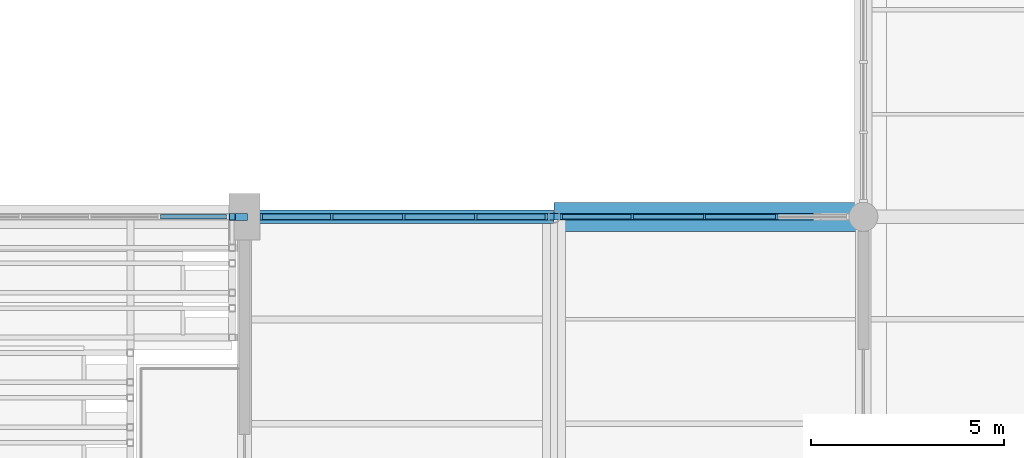
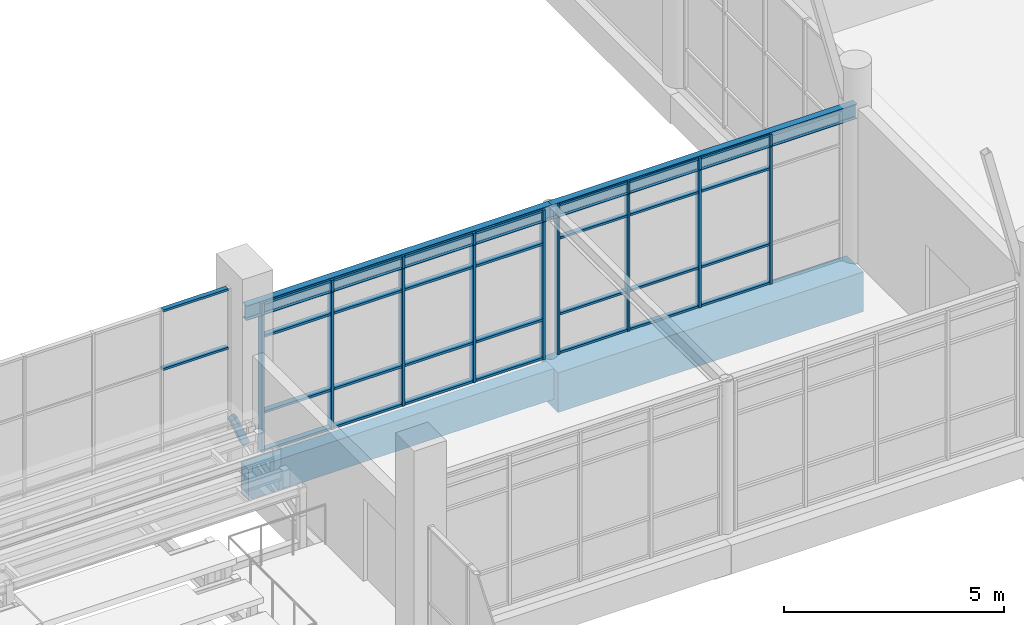
# One storey, part 19 of 122: 40 members, 4 beams, 3 elements without a shape of their own.
"""IFC4 building model written with IfcOpenShell, lengths in metres."""

from ifc_helpers import new_model, si_unit, direction, frame, origin, origin_2d, place, context, subcontext, project, spatial, rectangle, hollow_rectangle, i_section, extrude, material, material_profile, profile_set, type_object, element, aggregate, save


model = new_model("IFC4")

# Units and contexts
model_context = context("Model", 3, precision=1e-05, world=origin(), true_north=direction((0.0, 1.0)))
body_context = subcontext(model_context, "Body", "Model", "MODEL_VIEW")
ifc_project = project(units=[si_unit("LENGTHUNIT", "METRE"), si_unit("AREAUNIT", "SQUARE_METRE"), si_unit("VOLUMEUNIT", "CUBIC_METRE"), si_unit("PLANEANGLEUNIT", "RADIAN"), si_unit("MASSUNIT", "GRAM", prefix="KILO")], contexts=[model_context])

# Site, building, storey
site_placement = place(None, origin())
site = spatial("IfcSite", under=ifc_project, at=site_placement, CompositionType="ELEMENT")
building_placement = place(site_placement, origin())
building = spatial("IfcBuilding", under=site, at=building_placement, Name="Tenunan Teduh Sports Hall", CompositionType="ELEMENT")
storey_placement = place(building_placement, frame((0.0, 0.0, 5.39990234375)))
storey = spatial("IfcBuildingStorey", under=building, at=storey_placement, Name="L01", CompositionType="ELEMENT", Elevation=5.39990234375)

# Beams
ifc_material_1 = material(Name="Concrete C40/50", Category="concrete")
ifc_material_profile_1 = material_profile(ifc_material_1, rectangle(XDim=0.75, YDim=1.10009765625, at=origin_2d()), Name="RCB 750x1100")
ifc_profile_set_1 = profile_set([ifc_material_profile_1], Name="Concrete C40/50")
beam_type_1 = type_object("IfcBeamType", Name="BM-RC-750x1100", PredefinedType="SPANDREL", material=ifc_profile_set_1)
beam_1_placement = place(storey_placement, frame((62.0, 46.0, -0.809814453125), z_axis=(1.0, 0.0, 0.0), x_axis=(0.0, 1.0, 0.0)))
element("IfcBeam", 1, at=beam_1_placement, inside=storey, type_object=beam_type_1, Name="BM-B-20-L01-1077", PredefinedType="SPANDREL", context=body_context, shape_type="SweptSolid", body=[
    extrude(rectangle(XDim=0.75, YDim=1.10009765625, at=origin_2d()), origin(), (0.0, 0.0, 1.0), 8.0),
])
ifc_material_2 = material(Name="Concrete C40/50", Category="concrete")
ifc_material_profile_2 = material_profile(ifc_material_2, rectangle(XDim=0.35009765625, YDim=0.85009765625, at=origin_2d()), Name="SPB 350x850")
ifc_profile_set_2 = profile_set([ifc_material_profile_2], Name="Concrete C40/50")
beam_type_2 = type_object("IfcBeamType", Name="BM-SP-350x850", PredefinedType="SPANDREL", material=ifc_profile_set_2)
beam_2_placement = place(storey_placement, frame((54.0, 46.0, -0.684814453125), z_axis=(1.0, 0.0, 0.0), x_axis=(0.0, 1.0, 0.0)))
element("IfcBeam", 2, at=beam_2_placement, inside=storey, type_object=beam_type_2, Name="BM-SP-02-L01-1076", PredefinedType="SPANDREL", context=body_context, shape_type="SweptSolid", body=[
    extrude(rectangle(XDim=0.35009765625, YDim=0.85009765625, at=origin_2d()), origin(), (0.0, 0.0, 1.0), 8.0),
])

# Curtain wall, members
ifc_material_3 = material(Name="Anodised aluminium", Category="aluminium")
curtain_wall_type_1 = type_object("IfcCurtainWallType", Name="CW-UNIT-2", PredefinedType="NOTDEFINED", material=ifc_material_3)
curtain_wall_1_placement = place(storey_placement, origin())
curtain_wall_1 = element("IfcCurtainWall", 3, at=curtain_wall_1_placement, inside=storey, type_object=curtain_wall_type_1, Name="CW-CWM-150-L01-179", PredefinedType="NOTDEFINED")
ifc_material_4 = material(Name="Anodised aluminium", Category="aluminium")
ifc_material_profile_3 = material_profile(ifc_material_4, rectangle(XDim=0.06005859375, YDim=0.14990234375, at=origin_2d()), Name="CWM 60x150")
ifc_profile_set_3 = profile_set([ifc_material_profile_3], Name="Anodised aluminium")
member_type_1 = type_object("IfcMemberType", Name="CWM-150", PredefinedType="MULLION", material=ifc_profile_set_3)
member_1_placement = place(storey_placement, frame((62.19189453125, 46.0, 0.0), z_axis=(0.0, 0.0, 1.0), x_axis=(1.0, 0.0, 0.0)))
member_1 = element("IfcMember", 4, at=member_1_placement, type_object=member_type_1, Name="CW-02 mullion 1", PredefinedType="MULLION", context=body_context, shape_type="SweptSolid", body=[
    extrude(rectangle(XDim=0.06005859375, YDim=0.14990234375, at=origin_2d()), origin(), (0.0, 0.0, 1.0), 4.150146484375),
])
member_2_placement = place(storey_placement, frame((64.027587890625, 46.0, 0.0), z_axis=(0.0, 0.0, 1.0), x_axis=(1.0, 0.0, 0.0)))
member_2 = element("IfcMember", 5, at=member_2_placement, type_object=member_type_1, Name="CW-02 mullion 2", PredefinedType="MULLION", context=body_context, shape_type="SweptSolid", body=[
    extrude(rectangle(XDim=0.06005859375, YDim=0.14990234375, at=origin_2d()), origin(), (0.0, 0.0, 1.0), 4.150146484375),
])
member_3_placement = place(storey_placement, frame((65.8935546875, 46.0, 0.0), z_axis=(0.0, 0.0, 1.0), x_axis=(1.0, 0.0, 0.0)))
member_3 = element("IfcMember", 6, at=member_3_placement, type_object=member_type_1, Name="CW-02 mullion 3", PredefinedType="MULLION", context=body_context, shape_type="SweptSolid", body=[
    extrude(rectangle(XDim=0.06005859375, YDim=0.14990234375, at=origin_2d()), origin(), (0.0, 0.0, 1.0), 4.150146484375),
])
member_4_placement = place(storey_placement, frame((67.75927734375, 46.0, 0.0), z_axis=(0.0, 0.0, 1.0), x_axis=(1.0, 0.0, 0.0)))
member_4 = element("IfcMember", 7, at=member_4_placement, type_object=member_type_1, Name="CW-02 mullion 4", PredefinedType="MULLION", context=body_context, shape_type="SweptSolid", body=[
    extrude(rectangle(XDim=0.06005859375, YDim=0.14990234375, at=origin_2d()), origin(), (0.0, 0.0, 1.0), 4.150146484375),
])

curtain_wall_2_placement = place(storey_placement, origin())
curtain_wall_2 = element("IfcCurtainWall", 8, at=curtain_wall_2_placement, inside=storey, type_object=curtain_wall_type_1, Name="CW-CWM-175-L01-178", PredefinedType="NOTDEFINED")
ifc_material_5 = material(Name="Anodised aluminium", Category="aluminium")
ifc_material_profile_4 = material_profile(ifc_material_5, rectangle(XDim=0.06494140625, YDim=0.175048828125, at=origin_2d()), Name="CWM 65x175")
ifc_profile_set_4 = profile_set([ifc_material_profile_4], Name="Anodised aluminium")
member_type_2 = type_object("IfcMemberType", Name="CWM-175", PredefinedType="MULLION", material=ifc_profile_set_4)
member_5_placement = place(storey_placement, frame((54.4326171875, 46.0, 0.0), z_axis=(0.0, 0.0, 1.0), x_axis=(1.0, 0.0, 0.0)))
member_5 = element("IfcMember", 9, at=member_5_placement, type_object=member_type_2, Name="CW-02 mullion 1", PredefinedType="MULLION", context=body_context, shape_type="SweptSolid", body=[
    extrude(rectangle(XDim=0.06494140625, YDim=0.175048828125, at=origin_2d()), origin(), (0.0, 0.0, 1.0), 4.150146484375),
])
member_6_placement = place(storey_placement, frame((56.259521484375, 46.0, 0.0), z_axis=(0.0, 0.0, 1.0), x_axis=(1.0, 0.0, 0.0)))
member_6 = element("IfcMember", 10, at=member_6_placement, type_object=member_type_2, Name="CW-02 mullion 2", PredefinedType="MULLION", context=body_context, shape_type="SweptSolid", body=[
    extrude(rectangle(XDim=0.06494140625, YDim=0.175048828125, at=origin_2d()), origin(), (0.0, 0.0, 1.0), 4.150146484375),
])
member_7_placement = place(storey_placement, frame((58.119140625, 46.0, 0.0), z_axis=(0.0, 0.0, 1.0), x_axis=(1.0, 0.0, 0.0)))
member_7 = element("IfcMember", 11, at=member_7_placement, type_object=member_type_2, Name="CW-02 mullion 3", PredefinedType="MULLION", context=body_context, shape_type="SweptSolid", body=[
    extrude(rectangle(XDim=0.06494140625, YDim=0.175048828125, at=origin_2d()), origin(), (0.0, 0.0, 1.0), 4.150146484375),
])
member_8_placement = place(storey_placement, frame((59.978515625, 46.0, 0.0), z_axis=(0.0, 0.0, 1.0), x_axis=(1.0, 0.0, 0.0)))
member_8 = element("IfcMember", 12, at=member_8_placement, type_object=member_type_2, Name="CW-02 mullion 4", PredefinedType="MULLION", context=body_context, shape_type="SweptSolid", body=[
    extrude(rectangle(XDim=0.06494140625, YDim=0.175048828125, at=origin_2d()), origin(), (0.0, 0.0, 1.0), 4.150146484375),
])
member_9_placement = place(storey_placement, frame((61.8056640625, 46.0, 0.0), z_axis=(0.0, 0.0, 1.0), x_axis=(1.0, 0.0, 0.0)))
member_9 = element("IfcMember", 13, at=member_9_placement, type_object=member_type_2, Name="CW-02 mullion 5", PredefinedType="MULLION", context=body_context, shape_type="SweptSolid", body=[
    extrude(rectangle(XDim=0.06494140625, YDim=0.175048828125, at=origin_2d()), origin(), (0.0, 0.0, 1.0), 4.150146484375),
])

ifc_material_6 = material(Name="Anodised aluminium", Category="aluminium")
curtain_wall_type_2 = type_object("IfcCurtainWallType", Name="CW-UNIT-1", PredefinedType="NOTDEFINED", material=ifc_material_6)
curtain_wall_3_placement = place(storey_placement, origin())
curtain_wall_3 = element("IfcCurtainWall", 14, at=curtain_wall_3_placement, inside=storey, type_object=curtain_wall_type_2, Name="CW-CWM-150-L01-051", PredefinedType="NOTDEFINED")
ifc_material_7 = material(Name="Anodised aluminium", Category="aluminium")
ifc_material_profile_5 = material_profile(ifc_material_7, rectangle(XDim=0.06005859375, YDim=0.1201171875, at=origin_2d()), Name="CWT 60x120")
ifc_profile_set_5 = profile_set([ifc_material_profile_5], Name="Anodised aluminium")
member_type_3 = type_object("IfcMemberType", Name="CWT-125", PredefinedType="USERDEFINED", material=ifc_profile_set_5)
member_10_placement = place(storey_placement, frame((51.830078125, 46.0, 3.2001953125), z_axis=(1.0, 0.0, 0.0), x_axis=(0.0, 0.0, 1.0)))
member_10 = element("IfcMember", 15, at=member_10_placement, type_object=member_type_3, Name="CW-01 transom 4.3", ObjectType="TRANSOM", PredefinedType="USERDEFINED", context=body_context, shape_type="SweptSolid", body=[
    extrude(rectangle(XDim=0.06005859375, YDim=0.1201171875, at=origin_2d()), origin(), (0.0, 0.0, 1.0), 1.7099609375),
])
member_11_placement = place(storey_placement, frame((51.830078125, 46.0, 4.820068359375), z_axis=(1.0, 0.0, 0.0), x_axis=(0.0, 0.0, 1.0)))
member_11 = element("IfcMember", 16, at=member_11_placement, type_object=member_type_3, Name="CW-01 transom 4.4", ObjectType="TRANSOM", PredefinedType="USERDEFINED", context=body_context, shape_type="SweptSolid", body=[
    extrude(rectangle(XDim=0.06005859375, YDim=0.1201171875, at=origin_2d()), origin(), (0.0, 0.0, 1.0), 1.7099609375),
])
aggregate(curtain_wall_3, [member_10, member_11])

# Member
member_12_placement = place(storey_placement, frame((62.221923828125, 46.0, 0.030029296875), z_axis=(1.0, 0.0, 0.0), x_axis=(0.0, 0.0, 1.0)))
member_12 = element("IfcMember", 17, at=member_12_placement, type_object=member_type_3, Name="CW-02 transom 1.1", ObjectType="TRANSOM", PredefinedType="USERDEFINED", context=body_context, shape_type="SweptSolid", body=[
    extrude(rectangle(XDim=0.06005859375, YDim=0.1201171875, at=origin_2d()), origin(), (0.0, 0.0, 1.0), 1.775634765625),
])

member_13_placement = place(storey_placement, frame((62.221923828125, 46.0, 1.10009765625), z_axis=(1.0, 0.0, 0.0), x_axis=(0.0, 0.0, 1.0)))
member_13 = element("IfcMember", 18, at=member_13_placement, type_object=member_type_3, Name="CW-02 transom 1.2", ObjectType="TRANSOM", PredefinedType="USERDEFINED", context=body_context, shape_type="SweptSolid", body=[
    extrude(rectangle(XDim=0.06005859375, YDim=0.1201171875, at=origin_2d()), origin(), (0.0, 0.0, 1.0), 1.775634765625),
])

member_14_placement = place(storey_placement, frame((62.221923828125, 46.0, 3.2001953125), z_axis=(1.0, 0.0, 0.0), x_axis=(0.0, 0.0, 1.0)))
member_14 = element("IfcMember", 19, at=member_14_placement, type_object=member_type_3, Name="CW-02 transom 1.3", ObjectType="TRANSOM", PredefinedType="USERDEFINED", context=body_context, shape_type="SweptSolid", body=[
    extrude(rectangle(XDim=0.06005859375, YDim=0.1201171875, at=origin_2d()), origin(), (0.0, 0.0, 1.0), 1.775634765625),
])

member_15_placement = place(storey_placement, frame((62.221923828125, 46.0, 4.1201171875), z_axis=(1.0, 0.0, 0.0), x_axis=(0.0, 0.0, 1.0)))
member_15 = element("IfcMember", 20, at=member_15_placement, type_object=member_type_3, Name="CW-02 transom 1.4", ObjectType="TRANSOM", PredefinedType="USERDEFINED", context=body_context, shape_type="SweptSolid", body=[
    extrude(rectangle(XDim=0.06005859375, YDim=0.1201171875, at=origin_2d()), origin(), (0.0, 0.0, 1.0), 1.775634765625),
])

member_16_placement = place(storey_placement, frame((64.0576171875, 46.0, 0.030029296875), z_axis=(1.0, 0.0, 0.0), x_axis=(0.0, 0.0, 1.0)))
member_16 = element("IfcMember", 21, at=member_16_placement, type_object=member_type_3, Name="CW-02 transom 2.1", ObjectType="TRANSOM", PredefinedType="USERDEFINED", context=body_context, shape_type="SweptSolid", body=[
    extrude(rectangle(XDim=0.06005859375, YDim=0.1201171875, at=origin_2d()), origin(), (0.0, 0.0, 1.0), 1.805908203125),
])

member_17_placement = place(storey_placement, frame((64.0576171875, 46.0, 1.10009765625), z_axis=(1.0, 0.0, 0.0), x_axis=(0.0, 0.0, 1.0)))
member_17 = element("IfcMember", 22, at=member_17_placement, type_object=member_type_3, Name="CW-02 transom 2.2", ObjectType="TRANSOM", PredefinedType="USERDEFINED", context=body_context, shape_type="SweptSolid", body=[
    extrude(rectangle(XDim=0.06005859375, YDim=0.1201171875, at=origin_2d()), origin(), (0.0, 0.0, 1.0), 1.805908203125),
])

member_18_placement = place(storey_placement, frame((64.0576171875, 46.0, 3.2001953125), z_axis=(1.0, 0.0, 0.0), x_axis=(0.0, 0.0, 1.0)))
member_18 = element("IfcMember", 23, at=member_18_placement, type_object=member_type_3, Name="CW-02 transom 2.3", ObjectType="TRANSOM", PredefinedType="USERDEFINED", context=body_context, shape_type="SweptSolid", body=[
    extrude(rectangle(XDim=0.06005859375, YDim=0.1201171875, at=origin_2d()), origin(), (0.0, 0.0, 1.0), 1.805908203125),
])

member_19_placement = place(storey_placement, frame((64.0576171875, 46.0, 4.1201171875), z_axis=(1.0, 0.0, 0.0), x_axis=(0.0, 0.0, 1.0)))
member_19 = element("IfcMember", 24, at=member_19_placement, type_object=member_type_3, Name="CW-02 transom 2.4", ObjectType="TRANSOM", PredefinedType="USERDEFINED", context=body_context, shape_type="SweptSolid", body=[
    extrude(rectangle(XDim=0.06005859375, YDim=0.1201171875, at=origin_2d()), origin(), (0.0, 0.0, 1.0), 1.805908203125),
])

member_20_placement = place(storey_placement, frame((65.92333984375, 46.0, 0.030029296875), z_axis=(1.0, 0.0, 0.0), x_axis=(0.0, 0.0, 1.0)))
member_20 = element("IfcMember", 25, at=member_20_placement, type_object=member_type_3, Name="CW-02 transom 3.1", ObjectType="TRANSOM", PredefinedType="USERDEFINED", context=body_context, shape_type="SweptSolid", body=[
    extrude(rectangle(XDim=0.06005859375, YDim=0.1201171875, at=origin_2d()), origin(), (0.0, 0.0, 1.0), 1.805908203125),
])

member_21_placement = place(storey_placement, frame((65.92333984375, 46.0, 1.10009765625), z_axis=(1.0, 0.0, 0.0), x_axis=(0.0, 0.0, 1.0)))
member_21 = element("IfcMember", 26, at=member_21_placement, type_object=member_type_3, Name="CW-02 transom 3.2", ObjectType="TRANSOM", PredefinedType="USERDEFINED", context=body_context, shape_type="SweptSolid", body=[
    extrude(rectangle(XDim=0.06005859375, YDim=0.1201171875, at=origin_2d()), origin(), (0.0, 0.0, 1.0), 1.805908203125),
])

member_22_placement = place(storey_placement, frame((65.92333984375, 46.0, 3.2001953125), z_axis=(1.0, 0.0, 0.0), x_axis=(0.0, 0.0, 1.0)))
member_22 = element("IfcMember", 27, at=member_22_placement, type_object=member_type_3, Name="CW-02 transom 3.3", ObjectType="TRANSOM", PredefinedType="USERDEFINED", context=body_context, shape_type="SweptSolid", body=[
    extrude(rectangle(XDim=0.06005859375, YDim=0.1201171875, at=origin_2d()), origin(), (0.0, 0.0, 1.0), 1.805908203125),
])

member_23_placement = place(storey_placement, frame((65.92333984375, 46.0, 4.1201171875), z_axis=(1.0, 0.0, 0.0), x_axis=(0.0, 0.0, 1.0)))
member_23 = element("IfcMember", 28, at=member_23_placement, type_object=member_type_3, Name="CW-02 transom 3.4", ObjectType="TRANSOM", PredefinedType="USERDEFINED", context=body_context, shape_type="SweptSolid", body=[
    extrude(rectangle(XDim=0.06005859375, YDim=0.1201171875, at=origin_2d()), origin(), (0.0, 0.0, 1.0), 1.805908203125),
])

aggregate(curtain_wall_1, [member_1, member_2, member_3, member_4, member_12, member_13, member_14, member_15, member_16, member_17, member_18, member_19, member_20, member_21, member_22, member_23])

ifc_material_8 = material(Name="Anodised aluminium", Category="aluminium")
ifc_material_profile_6 = material_profile(ifc_material_8, rectangle(XDim=0.06494140625, YDim=0.139892578125, at=origin_2d()), Name="CWT 65x140")
ifc_profile_set_6 = profile_set([ifc_material_profile_6], Name="Anodised aluminium")
member_type_4 = type_object("IfcMemberType", Name="CWT-150", PredefinedType="USERDEFINED", material=ifc_profile_set_6)
member_24_placement = place(storey_placement, frame((54.465087890625, 46.0, 0.03271484375), z_axis=(1.0, 0.0, 0.0), x_axis=(0.0, 0.0, 1.0)))
member_24 = element("IfcMember", 29, at=member_24_placement, type_object=member_type_4, Name="CW-02 transom 1.1", ObjectType="TRANSOM", PredefinedType="USERDEFINED", context=body_context, shape_type="SweptSolid", body=[
    extrude(rectangle(XDim=0.06494140625, YDim=0.139892578125, at=origin_2d()), origin(), (0.0, 0.0, 1.0), 1.761962890625),
])

member_25_placement = place(storey_placement, frame((54.465087890625, 46.0, 1.10009765625), z_axis=(1.0, 0.0, 0.0), x_axis=(0.0, 0.0, 1.0)))
member_25 = element("IfcMember", 30, at=member_25_placement, type_object=member_type_4, Name="CW-02 transom 1.2", ObjectType="TRANSOM", PredefinedType="USERDEFINED", context=body_context, shape_type="SweptSolid", body=[
    extrude(rectangle(XDim=0.06494140625, YDim=0.139892578125, at=origin_2d()), origin(), (0.0, 0.0, 1.0), 1.761962890625),
])

member_26_placement = place(storey_placement, frame((54.465087890625, 46.0, 3.2001953125), z_axis=(1.0, 0.0, 0.0), x_axis=(0.0, 0.0, 1.0)))
member_26 = element("IfcMember", 31, at=member_26_placement, type_object=member_type_4, Name="CW-02 transom 1.3", ObjectType="TRANSOM", PredefinedType="USERDEFINED", context=body_context, shape_type="SweptSolid", body=[
    extrude(rectangle(XDim=0.06494140625, YDim=0.139892578125, at=origin_2d()), origin(), (0.0, 0.0, 1.0), 1.761962890625),
])

member_27_placement = place(storey_placement, frame((54.465087890625, 46.0, 4.11767578125), z_axis=(1.0, 0.0, 0.0), x_axis=(0.0, 0.0, 1.0)))
member_27 = element("IfcMember", 32, at=member_27_placement, type_object=member_type_4, Name="CW-02 transom 1.4", ObjectType="TRANSOM", PredefinedType="USERDEFINED", context=body_context, shape_type="SweptSolid", body=[
    extrude(rectangle(XDim=0.06494140625, YDim=0.139892578125, at=origin_2d()), origin(), (0.0, 0.0, 1.0), 1.761962890625),
])

member_28_placement = place(storey_placement, frame((56.2919921875, 46.0, 0.03271484375), z_axis=(1.0, 0.0, 0.0), x_axis=(0.0, 0.0, 1.0)))
member_28 = element("IfcMember", 33, at=member_28_placement, type_object=member_type_4, Name="CW-02 transom 2.1", ObjectType="TRANSOM", PredefinedType="USERDEFINED", context=body_context, shape_type="SweptSolid", body=[
    extrude(rectangle(XDim=0.06494140625, YDim=0.139892578125, at=origin_2d()), origin(), (0.0, 0.0, 1.0), 1.794677734375),
])

member_29_placement = place(storey_placement, frame((56.2919921875, 46.0, 1.10009765625), z_axis=(1.0, 0.0, 0.0), x_axis=(0.0, 0.0, 1.0)))
member_29 = element("IfcMember", 34, at=member_29_placement, type_object=member_type_4, Name="CW-02 transom 2.2", ObjectType="TRANSOM", PredefinedType="USERDEFINED", context=body_context, shape_type="SweptSolid", body=[
    extrude(rectangle(XDim=0.06494140625, YDim=0.139892578125, at=origin_2d()), origin(), (0.0, 0.0, 1.0), 1.794677734375),
])

member_30_placement = place(storey_placement, frame((56.2919921875, 46.0, 3.2001953125), z_axis=(1.0, 0.0, 0.0), x_axis=(0.0, 0.0, 1.0)))
member_30 = element("IfcMember", 35, at=member_30_placement, type_object=member_type_4, Name="CW-02 transom 2.3", ObjectType="TRANSOM", PredefinedType="USERDEFINED", context=body_context, shape_type="SweptSolid", body=[
    extrude(rectangle(XDim=0.06494140625, YDim=0.139892578125, at=origin_2d()), origin(), (0.0, 0.0, 1.0), 1.794677734375),
])

member_31_placement = place(storey_placement, frame((56.2919921875, 46.0, 4.11767578125), z_axis=(1.0, 0.0, 0.0), x_axis=(0.0, 0.0, 1.0)))
member_31 = element("IfcMember", 36, at=member_31_placement, type_object=member_type_4, Name="CW-02 transom 2.4", ObjectType="TRANSOM", PredefinedType="USERDEFINED", context=body_context, shape_type="SweptSolid", body=[
    extrude(rectangle(XDim=0.06494140625, YDim=0.139892578125, at=origin_2d()), origin(), (0.0, 0.0, 1.0), 1.794677734375),
])

member_32_placement = place(storey_placement, frame((58.151611328125, 46.0, 0.03271484375), z_axis=(1.0, 0.0, 0.0), x_axis=(0.0, 0.0, 1.0)))
member_32 = element("IfcMember", 37, at=member_32_placement, type_object=member_type_4, Name="CW-02 transom 3.1", ObjectType="TRANSOM", PredefinedType="USERDEFINED", context=body_context, shape_type="SweptSolid", body=[
    extrude(rectangle(XDim=0.06494140625, YDim=0.139892578125, at=origin_2d()), origin(), (0.0, 0.0, 1.0), 1.79443359375),
])

member_33_placement = place(storey_placement, frame((58.151611328125, 46.0, 1.10009765625), z_axis=(1.0, 0.0, 0.0), x_axis=(0.0, 0.0, 1.0)))
member_33 = element("IfcMember", 38, at=member_33_placement, type_object=member_type_4, Name="CW-02 transom 3.2", ObjectType="TRANSOM", PredefinedType="USERDEFINED", context=body_context, shape_type="SweptSolid", body=[
    extrude(rectangle(XDim=0.06494140625, YDim=0.139892578125, at=origin_2d()), origin(), (0.0, 0.0, 1.0), 1.79443359375),
])

member_34_placement = place(storey_placement, frame((58.151611328125, 46.0, 3.2001953125), z_axis=(1.0, 0.0, 0.0), x_axis=(0.0, 0.0, 1.0)))
member_34 = element("IfcMember", 39, at=member_34_placement, type_object=member_type_4, Name="CW-02 transom 3.3", ObjectType="TRANSOM", PredefinedType="USERDEFINED", context=body_context, shape_type="SweptSolid", body=[
    extrude(rectangle(XDim=0.06494140625, YDim=0.139892578125, at=origin_2d()), origin(), (0.0, 0.0, 1.0), 1.79443359375),
])

member_35_placement = place(storey_placement, frame((58.151611328125, 46.0, 4.11767578125), z_axis=(1.0, 0.0, 0.0), x_axis=(0.0, 0.0, 1.0)))
member_35 = element("IfcMember", 40, at=member_35_placement, type_object=member_type_4, Name="CW-02 transom 3.4", ObjectType="TRANSOM", PredefinedType="USERDEFINED", context=body_context, shape_type="SweptSolid", body=[
    extrude(rectangle(XDim=0.06494140625, YDim=0.139892578125, at=origin_2d()), origin(), (0.0, 0.0, 1.0), 1.79443359375),
])

member_36_placement = place(storey_placement, frame((60.010986328125, 46.0, 0.03271484375), z_axis=(1.0, 0.0, 0.0), x_axis=(0.0, 0.0, 1.0)))
member_36 = element("IfcMember", 41, at=member_36_placement, type_object=member_type_4, Name="CW-02 transom 4.1", ObjectType="TRANSOM", PredefinedType="USERDEFINED", context=body_context, shape_type="SweptSolid", body=[
    extrude(rectangle(XDim=0.06494140625, YDim=0.139892578125, at=origin_2d()), origin(), (0.0, 0.0, 1.0), 1.76220703125),
])

member_37_placement = place(storey_placement, frame((60.010986328125, 46.0, 1.10009765625), z_axis=(1.0, 0.0, 0.0), x_axis=(0.0, 0.0, 1.0)))
member_37 = element("IfcMember", 42, at=member_37_placement, type_object=member_type_4, Name="CW-02 transom 4.2", ObjectType="TRANSOM", PredefinedType="USERDEFINED", context=body_context, shape_type="SweptSolid", body=[
    extrude(rectangle(XDim=0.06494140625, YDim=0.139892578125, at=origin_2d()), origin(), (0.0, 0.0, 1.0), 1.76220703125),
])

member_38_placement = place(storey_placement, frame((60.010986328125, 46.0, 3.2001953125), z_axis=(1.0, 0.0, 0.0), x_axis=(0.0, 0.0, 1.0)))
member_38 = element("IfcMember", 43, at=member_38_placement, type_object=member_type_4, Name="CW-02 transom 4.3", ObjectType="TRANSOM", PredefinedType="USERDEFINED", context=body_context, shape_type="SweptSolid", body=[
    extrude(rectangle(XDim=0.06494140625, YDim=0.139892578125, at=origin_2d()), origin(), (0.0, 0.0, 1.0), 1.76220703125),
])

member_39_placement = place(storey_placement, frame((60.010986328125, 46.0, 4.11767578125), z_axis=(1.0, 0.0, 0.0), x_axis=(0.0, 0.0, 1.0)))
member_39 = element("IfcMember", 44, at=member_39_placement, type_object=member_type_4, Name="CW-02 transom 4.4", ObjectType="TRANSOM", PredefinedType="USERDEFINED", context=body_context, shape_type="SweptSolid", body=[
    extrude(rectangle(XDim=0.06494140625, YDim=0.139892578125, at=origin_2d()), origin(), (0.0, 0.0, 1.0), 1.76220703125),
])

aggregate(curtain_wall_2, [member_5, member_6, member_7, member_8, member_9, member_24, member_25, member_26, member_27, member_28, member_29, member_30, member_31, member_32, member_33, member_34, member_35, member_36, member_37, member_38, member_39])

ifc_material_9 = material(Name="Steel S355", Category="steel")
ifc_material_profile_7 = material_profile(ifc_material_9, hollow_rectangle(XDim=0.179931640625, YDim=0.179931640625, WallThickness=0.010009765625, at=origin_2d()), Name="SHS 180x180x10.0")
ifc_profile_set_7 = profile_set([ifc_material_profile_7], Name="Steel S355")
member_type_5 = type_object("IfcMemberType", Name="MEM-ST-SHS180", PredefinedType="STRUT", material=ifc_profile_set_7)
member_40_placement = place(storey_placement, frame((54.0, 46.0, 0.400146484375), z_axis=(-0.372812102434, 0.0, 0.927906857545), x_axis=(0.0, -1.0, 0.0)))
element("IfcMember", 45, at=member_40_placement, inside=storey, type_object=member_type_5, Name="MEM-VS-03-L01-1372", PredefinedType="STRUT", context=body_context, shape_type="SweptSolid", body=[
    extrude(hollow_rectangle(XDim=0.179931640625, YDim=0.179931640625, WallThickness=0.010009765625, at=origin_2d()), origin(), (0.0, 0.0, 1.0), 0.858642578125),
])

# Beams
ifc_material_10 = material(Name="Steel S355", Category="steel")
ifc_material_profile_8 = material_profile(ifc_material_10, i_section(OverallWidth=0.177978515625, OverallDepth=0.406494140625, WebThickness=0.0078125, FlangeThickness=0.0126953125, FilletRadius=0.01025390625, at=origin_2d()), Name="UKB 406x178x60")
ifc_profile_set_8 = profile_set([ifc_material_profile_8], Name="Steel S355")
beam_type_3 = type_object("IfcBeamType", Name="SBM-UKB406", PredefinedType="BEAM", material=ifc_profile_set_8)
for number, where, z_axis, x_axis, name in (
    (46, (54.0, 46.0, 4.01708984375), (1.0, 0.0, 0.0), (0.0, 1.0, 0.0), "BM-SB-03-L01-0617"),
    (47, (62.0, 46.0, 4.01708984375), (1.0, 0.0, 0.0), (0.0, 1.0, 0.0), "BM-SB-03-L01-0618"),
):
    element("IfcBeam", number, at=place(storey_placement, frame(where, z_axis=z_axis, x_axis=x_axis)), inside=storey, type_object=beam_type_3, Name=name, PredefinedType="BEAM", context=body_context, shape_type="SweptSolid", body=[
        extrude(i_section(OverallWidth=0.177978515625, OverallDepth=0.406494140625, WebThickness=0.0078125, FlangeThickness=0.0126953125, FilletRadius=0.01025390625, at=origin_2d()), origin(), (0.0, 0.0, 1.0), 8.0),
    ])

save(model, "model.ifc")
